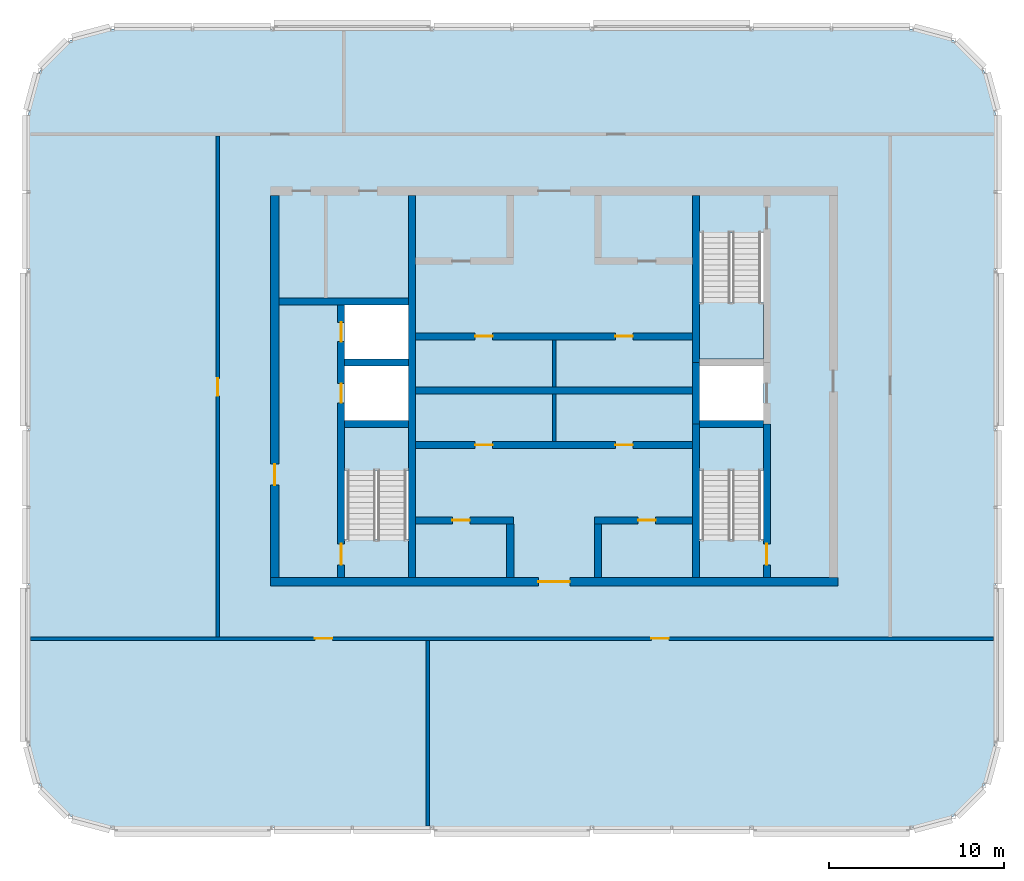
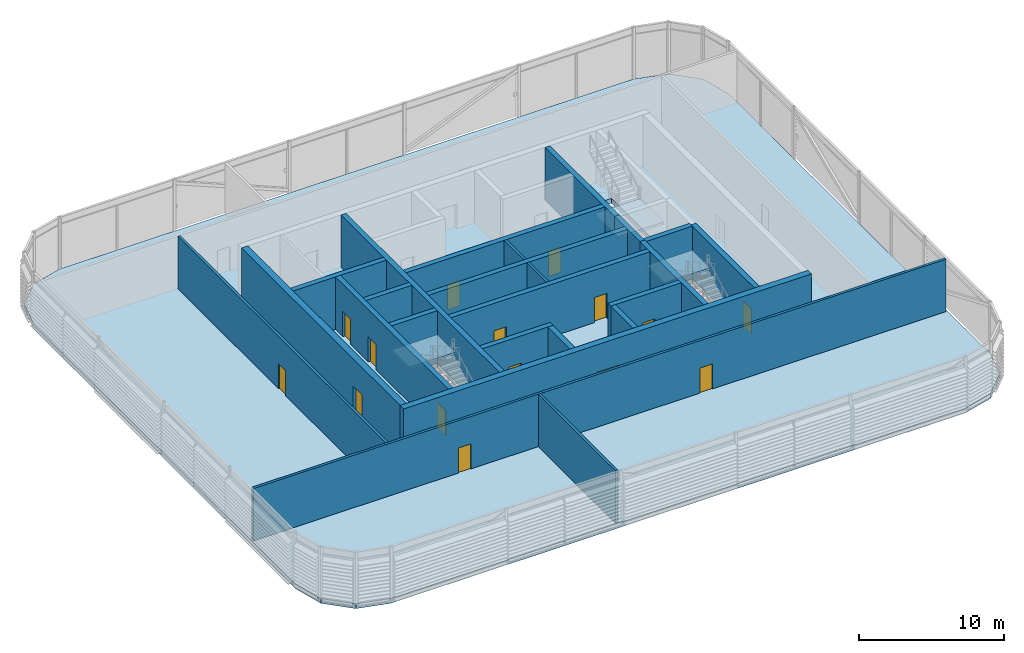
# One storey, part 15 of 27: 24 walls, 15 doors, 4 slabs, 15 openings, 3 elements without a shape of their own.
"""IFC4 building model written with IfcOpenShell, lengths in metres."""

from ifc_helpers import new_model, si_unit, direction, frame, frame_2d, origin, place, context, subcontext, project, spatial, polyline, rectangle, outline, extrude, material, layer, layer_set, type_object, element, fill, aggregate, save


model = new_model("IFC4")

# Units and contexts
model_context = context("Model", 3, precision=1e-05, world=origin(), true_north=direction((0.0, 1.0)))
body_context = subcontext(model_context, "Body", "Model", "MODEL_VIEW")
ifc_project = project(units=[si_unit("LENGTHUNIT", "METRE"), si_unit("AREAUNIT", "SQUARE_METRE"), si_unit("VOLUMEUNIT", "CUBIC_METRE"), si_unit("PLANEANGLEUNIT", "RADIAN"), si_unit("MASSUNIT", "GRAM", prefix="KILO")], contexts=[model_context])

# Site, building, storey
site_placement = place(None, origin())
site = spatial("IfcSite", under=ifc_project, at=site_placement, CompositionType="ELEMENT")
building_placement = place(site_placement, origin())
building = spatial("IfcBuilding", under=site, at=building_placement, Name="Madar Terraces", CompositionType="ELEMENT")
storey_placement = place(building_placement, frame((0.0, 0.0, 301.10009765625)))
storey = spatial("IfcBuildingStorey", under=building, at=storey_placement, Name="L78", CompositionType="ELEMENT", Elevation=301.10009765625)

# Slab
ifc_material_1 = material(Name="Concrete C50/60", Category="concrete")
ifc_layer_1 = layer(ifc_material_1, 0.39990234375)
ifc_layer_set_1 = layer_set([ifc_layer_1], Name="FS6 PT flat slab 400")
slab_type_1 = type_object("IfcSlabType", Name="FS6 PT flat slab 400", PredefinedType="FLOOR", material=ifc_layer_set_1)
slab_1_placement = place(storey_placement, frame((0.0, 0.0, -0.400146484375)))
element("IfcSlab", 1, at=slab_1_placement, inside=storey, type_object=slab_type_1, Name="Floor slab L78 (1)", PredefinedType="FLOOR", context=body_context, shape_type="SweptSolid", body=[
    extrude(outline(polyline([(51.60009765625, 1.199951171875), (54.0, 1.843017578125), (55.7568359375, 3.60009765625), (56.39990234375, 6.0), (56.39990234375, 42.0), (55.7568359375, 44.39990234375), (54.0, 46.156982421875), (51.60009765625, 46.800048828125), (6.0, 46.800048828125), (3.60009765625, 46.156982421875), (1.843017578125, 44.39990234375), (1.199951171875, 42.0), (1.199951171875, 6.0), (1.843017578125, 3.60009765625), (3.60009765625, 1.843017578125), (6.0, 1.199951171875), (51.60009765625, 1.199951171875)]), holes=[polyline([(22.89990234375, 24.050048828125), (22.89990234375, 17.64990234375), (19.25, 17.64990234375), (19.25, 24.050048828125), (22.89990234375, 24.050048828125)]), polyline([(43.14990234375, 17.64990234375), (39.5, 17.64990234375), (39.5, 24.050048828125), (43.14990234375, 24.050048828125), (43.14990234375, 17.64990234375)]), polyline([(22.89990234375, 24.449951171875), (19.25, 24.449951171875), (19.25, 27.550048828125), (22.89990234375, 27.550048828125), (22.89990234375, 24.449951171875)]), polyline([(43.14990234375, 27.550048828125), (43.14990234375, 24.449951171875), (39.5, 24.449951171875), (39.5, 27.550048828125), (43.14990234375, 27.550048828125)]), polyline([(22.89990234375, 27.949951171875), (19.25, 27.949951171875), (19.25, 31.050048828125), (22.89990234375, 31.050048828125), (22.89990234375, 27.949951171875)]), polyline([(43.14990234375, 27.949951171875), (39.5, 27.949951171875), (39.5, 35.14990234375), (43.14990234375, 35.14990234375), (43.14990234375, 27.949951171875)])]), origin(), (0.0, 0.0, 1.0), 0.400146484375),
])

# Stair, slab
ifc_material_2 = material(Name="Concrete C50/60", Category="concrete")
stair_type_1 = type_object("IfcStairType", Name="Stair ST1 protected exit", PredefinedType="HALF_TURN_STAIR", material=ifc_material_2)
stair_1_placement = place(storey_placement, origin())
stair_1 = element("IfcStair", 2, at=stair_1_placement, inside=storey, type_object=stair_type_1, Name="L78 Protected Exit Stair ST1", PredefinedType="HALF_TURN_STAIR")
ifc_material_3 = material(Name="Concrete C50/60", Category="concrete")
ifc_layer_2 = layer(ifc_material_3, 0.199951171875)
ifc_layer_set_2 = layer_set([ifc_layer_2], Name="Stair landing 200, top +2.40")
slab_type_2 = type_object("IfcSlabType", Name="Stair landing 200, top +2.40", PredefinedType="LANDING", material=ifc_layer_set_2)
slab_2_placement = place(storey_placement, frame((0.0, 0.0, 2.199951171875)))
slab_2 = element("IfcSlab", 3, at=slab_2_placement, type_object=slab_type_2, Name="ST1 landing 1", PredefinedType="LANDING", context=body_context, shape_type="SweptSolid", body=[
    extrude(outline(polyline([(19.25, 21.60009765625), (22.89990234375, 21.60009765625), (22.89990234375, 24.050048828125), (19.25, 24.050048828125), (19.25, 21.60009765625)])), origin(), (0.0, 0.0, 1.0), 0.199951171875),
])
aggregate(stair_1, [slab_2])

ifc_material_4 = material(Name="Concrete C50/60", Category="concrete")
stair_type_2 = type_object("IfcStairType", Name="Stair ST2 protected exit", PredefinedType="HALF_TURN_STAIR", material=ifc_material_4)
stair_2_placement = place(storey_placement, origin())
stair_2 = element("IfcStair", 4, at=stair_2_placement, inside=storey, type_object=stair_type_2, Name="L78 Protected Exit Stair ST2", PredefinedType="HALF_TURN_STAIR")
slab_3_placement = place(storey_placement, frame((0.0, 0.0, 2.199951171875)))
slab_3 = element("IfcSlab", 5, at=slab_3_placement, type_object=slab_type_2, Name="ST2 landing 1", PredefinedType="LANDING", context=body_context, shape_type="SweptSolid", body=[
    extrude(outline(polyline([(39.5, 27.949951171875), (43.14990234375, 27.949951171875), (43.14990234375, 31.199951171875), (39.5, 31.199951171875), (39.5, 27.949951171875)])), origin(), (0.0, 0.0, 1.0), 0.199951171875),
])
aggregate(stair_2, [slab_3])

ifc_material_5 = material(Name="Concrete C50/60", Category="concrete")
stair_type_3 = type_object("IfcStairType", Name="Stair ST3 protected exit", PredefinedType="HALF_TURN_STAIR", material=ifc_material_5)
stair_3_placement = place(storey_placement, origin())
stair_3 = element("IfcStair", 6, at=stair_3_placement, inside=storey, type_object=stair_type_3, Name="L78 Protected Exit Stair ST3", PredefinedType="HALF_TURN_STAIR")
slab_4_placement = place(storey_placement, frame((0.0, 0.0, 2.199951171875)))
slab_4 = element("IfcSlab", 7, at=slab_4_placement, type_object=slab_type_2, Name="ST3 landing 1", PredefinedType="LANDING", context=body_context, shape_type="SweptSolid", body=[
    extrude(outline(polyline([(39.5, 21.60009765625), (43.14990234375, 21.60009765625), (43.14990234375, 24.050048828125), (39.5, 24.050048828125), (39.5, 21.60009765625)])), origin(), (0.0, 0.0, 1.0), 0.199951171875),
])
aggregate(stair_3, [slab_4])

# Wall, openings, doors
ifc_material_6 = material(Name="Concrete C50/60", Category="concrete")
ifc_layer_3 = layer(ifc_material_6, 0.39990234375)
ifc_layer_set_3 = layer_set([ifc_layer_3], Name="Concrete C50/60 (CIW6 RC wall 400)")
wall_type_1 = type_object("IfcWallType", Name="CIW6 RC wall 400", PredefinedType="SHEAR", material=ifc_layer_set_3)
wall_1_placement = place(storey_placement, frame((19.050048828125, 15.5, 0.0), z_axis=(0.0, 0.0, 1.0), x_axis=(0.0, 1.0, 0.0)))
wall_1 = element("IfcWall", 8, at=wall_1_placement, inside=storey, type_object=wall_type_1, Name="CORE SHAFT WALL", PredefinedType="SHEAR", context=body_context, shape_type="SweptSolid", body=[
    extrude(rectangle(XDim=15.550048828125, YDim=0.39990234375, at=frame_2d((7.77490234375, 0.0))), origin(), (0.0, 0.0, 1.0), 4.39990234375),
])
opening_1_placement = place(wall_1_placement, frame((9.949951171875, 0.0, 0.0)))
opening_1 = element("IfcOpeningElement", 9, at=opening_1_placement, cuts=wall_1, Name="Opening LD", PredefinedType="OPENING", context=body_context, shape_type="SweptSolid", body=[
    extrude(rectangle(XDim=1.10009765625, YDim=2.10009765625, at=frame_2d((0.550048828125, 1.050048828125))), frame((0.0, 0.2099609375, 0.0), z_axis=(0.0, -1.0, 0.0), x_axis=(1.0, 0.0, 0.0)), (0.0, 0.0, 1.0), 0.419921875),
])
opening_2_placement = place(wall_1_placement, frame((13.449951171875, 0.0, 0.0)))
opening_2 = element("IfcOpeningElement", 10, at=opening_2_placement, cuts=wall_1, Name="Opening LD", PredefinedType="OPENING", context=body_context, shape_type="SweptSolid", body=[
    extrude(rectangle(XDim=1.10009765625, YDim=2.10009765625, at=frame_2d((0.550048828125, 1.050048828125))), frame((0.0, 0.2099609375, 0.0), z_axis=(0.0, -1.0, 0.0), x_axis=(1.0, 0.0, 0.0)), (0.0, 0.0, 1.0), 0.419921875),
])
opening_3_placement = place(wall_1_placement, frame((0.699951171875, 0.0, 0.0)))
opening_3 = element("IfcOpeningElement", 11, at=opening_3_placement, cuts=wall_1, Name="Opening SD1", PredefinedType="OPENING", context=body_context, shape_type="SweptSolid", body=[
    extrude(rectangle(XDim=1.199951171875, YDim=2.10009765625, at=frame_2d((0.60009765625, 1.050048828125))), frame((0.0, 0.2099609375, 0.0), z_axis=(0.0, -1.0, 0.0), x_axis=(1.0, 0.0, 0.0)), (0.0, 0.0, 1.0), 0.419921875),
])
ifc_material_7 = material(Name="Stainless steel panel", Category="steel")
door_type_1 = type_object("IfcDoorType", Name="Lift landing door 1100 x 2100", OperationType="DOUBLE_DOOR_SLIDING", PredefinedType="DOOR", material=ifc_material_7)
door_1_placement = place(opening_1_placement, origin())
door_1 = element("IfcDoor", 12, at=door_1_placement, inside=storey, type_object=door_type_1, Name="LIFT LANDING DOOR", OperationType="DOUBLE_DOOR_SLIDING", OverallHeight=2.10009765625, OverallWidth=1.10009765625, PredefinedType="DOOR", context=body_context, shape_type="SweptSolid", body=[
    extrude(rectangle(XDim=1.10009765625, YDim=2.10009765625, at=frame_2d((0.550048828125, 1.050048828125))), frame((0.0, 0.02490234375, 0.0), z_axis=(0.0, -1.0, 0.0), x_axis=(1.0, 0.0, 0.0)), (0.0, 0.0, 1.0), 0.050048828125),
])
fill(opening_1, door_1)
door_2_placement = place(opening_2_placement, origin())
door_2 = element("IfcDoor", 13, at=door_2_placement, inside=storey, type_object=door_type_1, Name="LIFT LANDING DOOR", OperationType="DOUBLE_DOOR_SLIDING", OverallHeight=2.10009765625, OverallWidth=1.10009765625, PredefinedType="DOOR", context=body_context, shape_type="SweptSolid", body=[
    extrude(rectangle(XDim=1.10009765625, YDim=2.10009765625, at=frame_2d((0.550048828125, 1.050048828125))), frame((0.0, 0.02490234375, 0.0), z_axis=(0.0, -1.0, 0.0), x_axis=(1.0, 0.0, 0.0)), (0.0, 0.0, 1.0), 0.050048828125),
])
fill(opening_2, door_2)
ifc_material_8 = material(Name="Steel door leaf", Category="steel")
door_type_2 = type_object("IfcDoorType", Name="Stair door 1200 x 2100", OperationType="NOTDEFINED", PredefinedType="DOOR", material=ifc_material_8)
door_3_placement = place(opening_3_placement, frame((1.199951171875, 0.0, 0.0), z_axis=(0.0, 0.0, 1.0), x_axis=(-1.0, 0.0, 0.0)))
door_3 = element("IfcDoor", 14, at=door_3_placement, inside=storey, type_object=door_type_2, Name="STAIR DOOR", OperationType="SINGLE_SWING_RIGHT", OverallHeight=2.10009765625, OverallWidth=1.199951171875, PredefinedType="DOOR", context=body_context, shape_type="SweptSolid", body=[
    extrude(rectangle(XDim=1.199951171875, YDim=2.10009765625, at=frame_2d((0.60009765625, 1.050048828125))), frame((0.0, 0.02490234375, 0.0), z_axis=(0.0, -1.0, 0.0), x_axis=(1.0, 0.0, 0.0)), (0.0, 0.0, 1.0), 0.050048828125),
])
fill(opening_3, door_3)

# Walls
wall_2_placement = place(storey_placement, frame((23.10009765625, 15.5, 0.0), z_axis=(0.0, 0.0, 1.0), x_axis=(0.0, 1.0, 0.0)))
element("IfcWall", 15, at=wall_2_placement, inside=storey, type_object=wall_type_1, Name="CORE SHAFT WALL", PredefinedType="SHEAR", context=body_context, shape_type="SweptSolid", body=[
    extrude(rectangle(XDim=21.800048828125, YDim=0.39990234375, at=frame_2d((10.89990234375, 0.0))), origin(), (0.0, 0.0, 1.0), 4.39990234375),
])
wall_3_placement = place(storey_placement, frame((39.300048828125, 15.5, 0.0), z_axis=(0.0, 0.0, 1.0), x_axis=(0.0, 1.0, 0.0)))
element("IfcWall", 16, at=wall_3_placement, inside=storey, type_object=wall_type_1, Name="CORE SHAFT WALL", PredefinedType="SHEAR", context=body_context, shape_type="SweptSolid", body=[
    extrude(rectangle(XDim=8.75, YDim=0.39990234375, at=frame_2d((4.375, 0.0))), origin(), (0.0, 0.0, 1.0), 4.39990234375),
])
wall_4_placement = place(storey_placement, frame((39.300048828125, 24.25, 0.0), z_axis=(0.0, 0.0, 1.0), x_axis=(0.0, 1.0, 0.0)))
element("IfcWall", 17, at=wall_4_placement, inside=storey, type_object=wall_type_1, Name="CORE SHAFT WALL", PredefinedType="SHEAR", context=body_context, shape_type="SweptSolid", body=[
    extrude(rectangle(XDim=3.5, YDim=0.39990234375, at=frame_2d((1.75, 0.0))), origin(), (0.0, 0.0, 1.0), 4.39990234375),
])
wall_5_placement = place(storey_placement, frame((39.300048828125, 27.75, 0.0), z_axis=(0.0, 0.0, 1.0), x_axis=(0.0, 1.0, 0.0)))
element("IfcWall", 18, at=wall_5_placement, inside=storey, type_object=wall_type_1, Name="CORE SHAFT WALL", PredefinedType="SHEAR", context=body_context, shape_type="SweptSolid", body=[
    extrude(rectangle(XDim=9.550048828125, YDim=0.39990234375, at=frame_2d((4.77490234375, 0.0))), origin(), (0.0, 0.0, 1.0), 4.39990234375),
])

# Wall, opening, door
wall_6_placement = place(storey_placement, frame((43.35009765625, 15.5, 0.0), z_axis=(0.0, 0.0, 1.0), x_axis=(0.0, 1.0, 0.0)))
wall_6 = element("IfcWall", 19, at=wall_6_placement, inside=storey, type_object=wall_type_1, Name="CORE SHAFT WALL", PredefinedType="SHEAR", context=body_context, shape_type="SweptSolid", body=[
    extrude(rectangle(XDim=8.75, YDim=0.39990234375, at=frame_2d((4.375, 0.0))), origin(), (0.0, 0.0, 1.0), 4.39990234375),
])
opening_4_placement = place(wall_6_placement, frame((0.699951171875, 0.0, 0.0)))
opening_4 = element("IfcOpeningElement", 20, at=opening_4_placement, cuts=wall_6, Name="Opening SD1", PredefinedType="OPENING", context=body_context, shape_type="SweptSolid", body=[
    extrude(rectangle(XDim=1.199951171875, YDim=2.10009765625, at=frame_2d((0.60009765625, 1.050048828125))), frame((0.0, 0.2099609375, 0.0), z_axis=(0.0, -1.0, 0.0), x_axis=(1.0, 0.0, 0.0)), (0.0, 0.0, 1.0), 0.419921875),
])
door_4_placement = place(opening_4_placement, origin())
door_4 = element("IfcDoor", 21, at=door_4_placement, inside=storey, type_object=door_type_2, Name="STAIR DOOR", OperationType="SINGLE_SWING_LEFT", OverallHeight=2.10009765625, OverallWidth=1.199951171875, PredefinedType="DOOR", context=body_context, shape_type="SweptSolid", body=[
    extrude(rectangle(XDim=1.199951171875, YDim=2.10009765625, at=frame_2d((0.60009765625, 1.050048828125))), frame((0.0, 0.02490234375, 0.0), z_axis=(0.0, -1.0, 0.0), x_axis=(1.0, 0.0, 0.0)), (0.0, 0.0, 1.0), 0.050048828125),
])
fill(opening_4, door_4)

# Walls
for number, where, z_axis, x_axis, name in (
    (22, (19.25, 24.25, 0.0), (0.0, 0.0, 1.0), (1.0, 0.0, 0.0), "CORE SHAFT WALL"),
    (23, (19.25, 27.75, 0.0), (0.0, 0.0, 1.0), (1.0, 0.0, 0.0), "CORE SHAFT WALL"),
):
    element("IfcWall", number, at=place(storey_placement, frame(where, z_axis=z_axis, x_axis=x_axis)), inside=storey, type_object=wall_type_1, Name=name, PredefinedType="SHEAR", context=body_context, shape_type="SweptSolid", body=[
        extrude(rectangle(XDim=3.64990234375, YDim=0.39990234375, at=frame_2d((1.824951171875, 0.0))), origin(), (0.0, 0.0, 1.0), 4.39990234375),
    ])
wall_7_placement = place(storey_placement, frame((15.5, 31.25, 0.0), z_axis=(0.0, 0.0, 1.0), x_axis=(1.0, 0.0, 0.0)))
element("IfcWall", 24, at=wall_7_placement, inside=storey, type_object=wall_type_1, Name="CORE SHAFT WALL", PredefinedType="SHEAR", context=body_context, shape_type="SweptSolid", body=[
    extrude(rectangle(XDim=7.39990234375, YDim=0.39990234375, at=frame_2d((3.699951171875, 0.0))), origin(), (0.0, 0.0, 1.0), 4.39990234375),
])
wall_8_placement = place(storey_placement, frame((39.5, 24.25, 0.0), z_axis=(0.0, 0.0, 1.0), x_axis=(1.0, 0.0, 0.0)))
element("IfcWall", 25, at=wall_8_placement, inside=storey, type_object=wall_type_1, Name="CORE SHAFT WALL", PredefinedType="SHEAR", context=body_context, shape_type="SweptSolid", body=[
    extrude(rectangle(XDim=3.64990234375, YDim=0.39990234375, at=frame_2d((1.824951171875, 0.0))), origin(), (0.0, 0.0, 1.0), 4.39990234375),
])

# Wall, opening, door
wall_9_placement = place(storey_placement, frame((23.300048828125, 18.75, 0.0), z_axis=(0.0, 0.0, 1.0), x_axis=(1.0, 0.0, 0.0)))
wall_9 = element("IfcWall", 26, at=wall_9_placement, inside=storey, type_object=wall_type_1, Name="CORE SHAFT WALL", PredefinedType="SHEAR", context=body_context, shape_type="SweptSolid", body=[
    extrude(rectangle(XDim=5.599853515625, YDim=0.39990234375, at=frame_2d((2.7998046875, 0.0))), origin(), (0.0, 0.0, 1.0), 4.39990234375),
])
opening_5_placement = place(wall_9_placement, frame((2.10009765625, 0.0, 0.0)))
opening_5 = element("IfcOpeningElement", 27, at=opening_5_placement, cuts=wall_9, Name="Opening KD2", PredefinedType="OPENING", context=body_context, shape_type="SweptSolid", body=[
    extrude(rectangle(XDim=1.0, YDim=2.10009765625, at=frame_2d((0.5, 1.050048828125))), frame((0.0, 0.2099609375, 0.0), z_axis=(0.0, -1.0, 0.0), x_axis=(1.0, 0.0, 0.0)), (0.0, 0.0, 1.0), 0.419921875),
])
ifc_material_9 = material(Name="Steel door leaf", Category="steel")
door_type_3 = type_object("IfcDoorType", Name="Service room door 1000 x 2100", OperationType="NOTDEFINED", PredefinedType="DOOR", material=ifc_material_9)
door_5_placement = place(opening_5_placement, origin())
door_5 = element("IfcDoor", 28, at=door_5_placement, inside=storey, type_object=door_type_3, Name="SERVICE ROOM DOOR", OperationType="SINGLE_SWING_LEFT", OverallHeight=2.10009765625, OverallWidth=1.0, PredefinedType="DOOR", context=body_context, shape_type="SweptSolid", body=[
    extrude(rectangle(XDim=1.0, YDim=2.10009765625, at=frame_2d((0.5, 1.050048828125))), frame((0.0, 0.02490234375, 0.0), z_axis=(0.0, -1.0, 0.0), x_axis=(1.0, 0.0, 0.0)), (0.0, 0.0, 1.0), 0.050048828125),
])
fill(opening_5, door_5)

wall_10_placement = place(storey_placement, frame((33.5, 18.75, 0.0), z_axis=(0.0, 0.0, 1.0), x_axis=(1.0, 0.0, 0.0)))
wall_10 = element("IfcWall", 29, at=wall_10_placement, inside=storey, type_object=wall_type_1, Name="CORE SHAFT WALL", PredefinedType="SHEAR", context=body_context, shape_type="SweptSolid", body=[
    extrude(rectangle(XDim=5.60009765625, YDim=0.39990234375, at=frame_2d((2.800048828125, 0.0))), origin(), (0.0, 0.0, 1.0), 4.39990234375),
])
opening_6_placement = place(wall_10_placement, frame((2.5, 0.0, 0.0)))
opening_6 = element("IfcOpeningElement", 30, at=opening_6_placement, cuts=wall_10, Name="Opening KD2", PredefinedType="OPENING", context=body_context, shape_type="SweptSolid", body=[
    extrude(rectangle(XDim=1.0, YDim=2.10009765625, at=frame_2d((0.5, 1.050048828125))), frame((0.0, 0.2099609375, 0.0), z_axis=(0.0, -1.0, 0.0), x_axis=(1.0, 0.0, 0.0)), (0.0, 0.0, 1.0), 0.419921875),
])
door_6_placement = place(opening_6_placement, origin())
door_6 = element("IfcDoor", 31, at=door_6_placement, inside=storey, type_object=door_type_3, Name="SERVICE ROOM DOOR", OperationType="SINGLE_SWING_RIGHT", OverallHeight=2.10009765625, OverallWidth=1.0, PredefinedType="DOOR", context=body_context, shape_type="SweptSolid", body=[
    extrude(rectangle(XDim=1.0, YDim=2.10009765625, at=frame_2d((0.5, 1.050048828125))), frame((0.0, 0.02490234375, 0.0), z_axis=(0.0, -1.0, 0.0), x_axis=(1.0, 0.0, 0.0)), (0.0, 0.0, 1.0), 0.050048828125),
])
fill(opening_6, door_6)

# Wall, openings, doors
wall_11_placement = place(storey_placement, frame((23.300048828125, 23.050048828125, 0.0), z_axis=(0.0, 0.0, 1.0), x_axis=(1.0, 0.0, 0.0)))
wall_11 = element("IfcWall", 32, at=wall_11_placement, inside=storey, type_object=wall_type_1, Name="CORE SHAFT WALL", PredefinedType="SHEAR", context=body_context, shape_type="SweptSolid", body=[
    extrude(rectangle(XDim=15.800048828125, YDim=0.39990234375, at=frame_2d((7.89990234375, 0.0))), origin(), (0.0, 0.0, 1.0), 4.39990234375),
])
opening_7_placement = place(wall_11_placement, frame((3.39990234375, 0.0, 0.0)))
opening_7 = element("IfcOpeningElement", 33, at=opening_7_placement, cuts=wall_11, Name="Opening KD2", PredefinedType="OPENING", context=body_context, shape_type="SweptSolid", body=[
    extrude(rectangle(XDim=1.0, YDim=2.10009765625, at=frame_2d((0.5, 1.050048828125))), frame((0.0, 0.2099609375, 0.0), z_axis=(0.0, -1.0, 0.0), x_axis=(1.0, 0.0, 0.0)), (0.0, 0.0, 1.0), 0.419921875),
])
opening_8_placement = place(wall_11_placement, frame((11.39990234375, 0.0, 0.0)))
opening_8 = element("IfcOpeningElement", 34, at=opening_8_placement, cuts=wall_11, Name="Opening KD2", PredefinedType="OPENING", context=body_context, shape_type="SweptSolid", body=[
    extrude(rectangle(XDim=1.0, YDim=2.10009765625, at=frame_2d((0.5, 1.050048828125))), frame((0.0, 0.2099609375, 0.0), z_axis=(0.0, -1.0, 0.0), x_axis=(1.0, 0.0, 0.0)), (0.0, 0.0, 1.0), 0.419921875),
])
door_7_placement = place(opening_7_placement, frame((1.0, 0.0, 0.0), z_axis=(0.0, 0.0, 1.0), x_axis=(-1.0, 0.0, 0.0)))
door_7 = element("IfcDoor", 35, at=door_7_placement, inside=storey, type_object=door_type_3, Name="SERVICE ROOM DOOR", OperationType="SINGLE_SWING_LEFT", OverallHeight=2.10009765625, OverallWidth=1.0, PredefinedType="DOOR", context=body_context, shape_type="SweptSolid", body=[
    extrude(rectangle(XDim=1.0, YDim=2.10009765625, at=frame_2d((0.5, 1.050048828125))), frame((0.0, 0.02490234375, 0.0), z_axis=(0.0, -1.0, 0.0), x_axis=(1.0, 0.0, 0.0)), (0.0, 0.0, 1.0), 0.050048828125),
])
fill(opening_7, door_7)
door_8_placement = place(opening_8_placement, frame((1.0, 0.0, 0.0), z_axis=(0.0, 0.0, 1.0), x_axis=(-1.0, 0.0, 0.0)))
door_8 = element("IfcDoor", 36, at=door_8_placement, inside=storey, type_object=door_type_3, Name="SERVICE ROOM DOOR", OperationType="SINGLE_SWING_RIGHT", OverallHeight=2.10009765625, OverallWidth=1.0, PredefinedType="DOOR", context=body_context, shape_type="SweptSolid", body=[
    extrude(rectangle(XDim=1.0, YDim=2.10009765625, at=frame_2d((0.5, 1.050048828125))), frame((0.0, 0.02490234375, 0.0), z_axis=(0.0, -1.0, 0.0), x_axis=(1.0, 0.0, 0.0)), (0.0, 0.0, 1.0), 0.050048828125),
])
fill(opening_8, door_8)

# Wall
wall_12_placement = place(storey_placement, frame((23.300048828125, 26.14990234375, 0.0), z_axis=(0.0, 0.0, 1.0), x_axis=(1.0, 0.0, 0.0)))
element("IfcWall", 37, at=wall_12_placement, inside=storey, type_object=wall_type_1, Name="CORE SHAFT WALL", PredefinedType="SHEAR", context=body_context, shape_type="SweptSolid", body=[
    extrude(rectangle(XDim=15.800048828125, YDim=0.39990234375, at=frame_2d((7.89990234375, 0.0))), origin(), (0.0, 0.0, 1.0), 4.39990234375),
])

# Wall, openings, doors
wall_13_placement = place(storey_placement, frame((23.300048828125, 29.25, 0.0), z_axis=(0.0, 0.0, 1.0), x_axis=(1.0, 0.0, 0.0)))
wall_13 = element("IfcWall", 38, at=wall_13_placement, inside=storey, type_object=wall_type_1, Name="CORE SHAFT WALL", PredefinedType="SHEAR", context=body_context, shape_type="SweptSolid", body=[
    extrude(rectangle(XDim=15.800048828125, YDim=0.39990234375, at=frame_2d((7.89990234375, 0.0))), origin(), (0.0, 0.0, 1.0), 4.39990234375),
])
opening_9_placement = place(wall_13_placement, frame((3.39990234375, 0.0, 0.0)))
opening_9 = element("IfcOpeningElement", 39, at=opening_9_placement, cuts=wall_13, Name="Opening KD2", PredefinedType="OPENING", context=body_context, shape_type="SweptSolid", body=[
    extrude(rectangle(XDim=1.0, YDim=2.10009765625, at=frame_2d((0.5, 1.050048828125))), frame((0.0, 0.2099609375, 0.0), z_axis=(0.0, -1.0, 0.0), x_axis=(1.0, 0.0, 0.0)), (0.0, 0.0, 1.0), 0.419921875),
])
opening_10_placement = place(wall_13_placement, frame((11.39990234375, 0.0, 0.0)))
opening_10 = element("IfcOpeningElement", 40, at=opening_10_placement, cuts=wall_13, Name="Opening KD2", PredefinedType="OPENING", context=body_context, shape_type="SweptSolid", body=[
    extrude(rectangle(XDim=1.0, YDim=2.10009765625, at=frame_2d((0.5, 1.050048828125))), frame((0.0, 0.2099609375, 0.0), z_axis=(0.0, -1.0, 0.0), x_axis=(1.0, 0.0, 0.0)), (0.0, 0.0, 1.0), 0.419921875),
])
door_9_placement = place(opening_9_placement, origin())
door_9 = element("IfcDoor", 41, at=door_9_placement, inside=storey, type_object=door_type_3, Name="SERVICE ROOM DOOR", OperationType="SINGLE_SWING_LEFT", OverallHeight=2.10009765625, OverallWidth=1.0, PredefinedType="DOOR", context=body_context, shape_type="SweptSolid", body=[
    extrude(rectangle(XDim=1.0, YDim=2.10009765625, at=frame_2d((0.5, 1.050048828125))), frame((0.0, 0.02490234375, 0.0), z_axis=(0.0, -1.0, 0.0), x_axis=(1.0, 0.0, 0.0)), (0.0, 0.0, 1.0), 0.050048828125),
])
fill(opening_9, door_9)
door_10_placement = place(opening_10_placement, origin())
door_10 = element("IfcDoor", 42, at=door_10_placement, inside=storey, type_object=door_type_3, Name="SERVICE ROOM DOOR", OperationType="SINGLE_SWING_RIGHT", OverallHeight=2.10009765625, OverallWidth=1.0, PredefinedType="DOOR", context=body_context, shape_type="SweptSolid", body=[
    extrude(rectangle(XDim=1.0, YDim=2.10009765625, at=frame_2d((0.5, 1.050048828125))), frame((0.0, 0.02490234375, 0.0), z_axis=(0.0, -1.0, 0.0), x_axis=(1.0, 0.0, 0.0)), (0.0, 0.0, 1.0), 0.050048828125),
])
fill(opening_10, door_10)

# Walls
for number, where, z_axis, x_axis, name in (
    (43, (28.699951171875, 15.5, 0.0), (0.0, 0.0, 1.0), (0.0, 1.0, 0.0), "CORE SHAFT WALL"),
    (44, (33.699951171875, 15.5, 0.0), (0.0, 0.0, 1.0), (0.0, 1.0, 0.0), "CORE SHAFT WALL"),
):
    element("IfcWall", number, at=place(storey_placement, frame(where, z_axis=z_axis, x_axis=x_axis)), inside=storey, type_object=wall_type_1, Name=name, PredefinedType="SHEAR", context=body_context, shape_type="SweptSolid", body=[
        extrude(rectangle(XDim=3.050048828125, YDim=0.39990234375, at=frame_2d((1.52490234375, 0.0))), origin(), (0.0, 0.0, 1.0), 4.39990234375),
    ])

# Wall, opening, door
ifc_material_10 = material(Name="Concrete C50/60", Category="concrete")
ifc_layer_4 = layer(ifc_material_10, 0.5)
ifc_layer_set_4 = layer_set([ifc_layer_4], Name="Concrete C50/60 (CRW6 RC wall 500)")
wall_type_2 = type_object("IfcWallType", Name="CRW6 RC wall 500", PredefinedType="SHEAR", material=ifc_layer_set_4)
wall_14_placement = place(storey_placement, frame((15.0, 15.25, 0.0), z_axis=(0.0, 0.0, 1.0), x_axis=(1.0, 0.0, 0.0)))
wall_14 = element("IfcWall", 45, at=wall_14_placement, inside=storey, type_object=wall_type_2, Name="CORE OUTER WALL", PredefinedType="SHEAR", context=body_context, shape_type="SweptSolid", body=[
    extrude(rectangle(XDim=32.39990234375, YDim=0.5, at=frame_2d((16.199951171875, 0.0))), origin(), (0.0, 0.0, 1.0), 4.39990234375),
])
opening_11_placement = place(wall_14_placement, frame((15.300048828125, 0.0, 0.0)))
opening_11 = element("IfcOpeningElement", 46, at=opening_11_placement, cuts=wall_14, Name="Opening KD1", PredefinedType="OPENING", context=body_context, shape_type="SweptSolid", body=[
    extrude(rectangle(XDim=1.800048828125, YDim=2.10009765625, at=frame_2d((0.89990234375, 1.050048828125))), frame((0.0, 0.260009765625, 0.0), z_axis=(0.0, -1.0, 0.0), x_axis=(1.0, 0.0, 0.0)), (0.0, 0.0, 1.0), 0.52001953125),
])
ifc_material_11 = material(Name="Steel door leaf", Category="steel")
door_type_4 = type_object("IfcDoorType", Name="Lobby door pair 1800 x 2100", OperationType="DOUBLE_DOOR_SINGLE_SWING", PredefinedType="DOOR", material=ifc_material_11)
door_11_placement = place(opening_11_placement, frame((1.800048828125, 0.0, 0.0), z_axis=(0.0, 0.0, 1.0), x_axis=(-1.0, 0.0, 0.0)))
door_11 = element("IfcDoor", 47, at=door_11_placement, inside=storey, type_object=door_type_4, Name="LIFT LOBBY DOOR", OperationType="DOUBLE_DOOR_SINGLE_SWING", OverallHeight=2.10009765625, OverallWidth=1.800048828125, PredefinedType="DOOR", context=body_context, shape_type="SweptSolid", body=[
    extrude(rectangle(XDim=1.800048828125, YDim=2.10009765625, at=frame_2d((0.89990234375, 1.050048828125))), frame((0.0, 0.02490234375, 0.0), z_axis=(0.0, -1.0, 0.0), x_axis=(1.0, 0.0, 0.0)), (0.0, 0.0, 1.0), 0.050048828125),
])
fill(opening_11, door_11)

wall_15_placement = place(storey_placement, frame((15.25, 15.5, 0.0), z_axis=(0.0, 0.0, 1.0), x_axis=(0.0, 1.0, 0.0)))
wall_15 = element("IfcWall", 48, at=wall_15_placement, inside=storey, type_object=wall_type_2, Name="CORE OUTER WALL", PredefinedType="SHEAR", context=body_context, shape_type="SweptSolid", body=[
    extrude(rectangle(XDim=21.800048828125, YDim=0.5, at=frame_2d((10.89990234375, 0.0))), origin(), (0.0, 0.0, 1.0), 4.39990234375),
])
opening_12_placement = place(wall_15_placement, frame((5.260009765625, 0.0, 0.0)))
opening_12 = element("IfcOpeningElement", 49, at=opening_12_placement, cuts=wall_15, Name="Opening SD1", PredefinedType="OPENING", context=body_context, shape_type="SweptSolid", body=[
    extrude(rectangle(XDim=1.199951171875, YDim=2.10009765625, at=frame_2d((0.60009765625, 1.050048828125))), frame((0.0, 0.260009765625, 0.0), z_axis=(0.0, -1.0, 0.0), x_axis=(1.0, 0.0, 0.0)), (0.0, 0.0, 1.0), 0.52001953125),
])
door_12_placement = place(opening_12_placement, frame((1.199951171875, 0.0, 0.0), z_axis=(0.0, 0.0, 1.0), x_axis=(-1.0, 0.0, 0.0)))
door_12 = element("IfcDoor", 50, at=door_12_placement, inside=storey, type_object=door_type_2, Name="STAIR DOOR", OperationType="SINGLE_SWING_LEFT", OverallHeight=2.10009765625, OverallWidth=1.199951171875, PredefinedType="DOOR", context=body_context, shape_type="SweptSolid", body=[
    extrude(rectangle(XDim=1.199951171875, YDim=2.10009765625, at=frame_2d((0.60009765625, 1.050048828125))), frame((0.0, 0.02490234375, 0.0), z_axis=(0.0, -1.0, 0.0), x_axis=(1.0, 0.0, 0.0)), (0.0, 0.0, 1.0), 0.050048828125),
])
fill(opening_12, door_12)

# Walls
ifc_material_12 = material(Name="Masonry blockwork", Category="masonry")
ifc_layer_5 = layer(ifc_material_12, 0.199951171875)
ifc_layer_set_5 = layer_set([ifc_layer_5], Name="Core partition 200 blockwork")
wall_type_3 = type_object("IfcWallType", Name="Core partition 200 blockwork", PredefinedType="PARTITIONING", material=ifc_layer_set_5)
for number, where, z_axis, x_axis, name in (
    (51, (31.199951171875, 23.25, 0.0), (0.0, 0.0, 1.0), (0.0, 1.0, 0.0), "SERVICE ROOM PARTITION"),
    (52, (31.199951171875, 26.35009765625, 0.0), (0.0, 0.0, 1.0), (0.0, 1.0, 0.0), "SERVICE ROOM PARTITION"),
):
    element("IfcWall", number, at=place(storey_placement, frame(where, z_axis=z_axis, x_axis=x_axis)), inside=storey, type_object=wall_type_3, Name=name, PredefinedType="PARTITIONING", context=body_context, shape_type="SweptSolid", body=[
        extrude(rectangle(XDim=2.699951171875, YDim=0.199951171875, at=frame_2d((1.35009765625, 0.0))), origin(), (0.0, 0.0, 1.0), 4.39990234375),
    ])

# Wall, openings, doors
ifc_material_13 = material(Name="Blockwork", Category="masonry")
ifc_layer_6 = layer(ifc_material_13, 0.199951171875)
ifc_layer_set_6 = layer_set([ifc_layer_6], Name="Partition 200 EI 120")
wall_type_4 = type_object("IfcWallType", Name="Partition 200 EI 120", PredefinedType="PARTITIONING", material=ifc_layer_set_6)
wall_16_placement = place(storey_placement, frame((56.300048828125, 12.0, 0.0), z_axis=(0.0, 0.0, 1.0), x_axis=(-1.0, 0.0, 0.0)))
wall_16 = element("IfcWall", 53, at=wall_16_placement, inside=storey, type_object=wall_type_4, Name="Wall COOLING PLANT ROOM + LIFT MACHINE PLANT ROOM", PredefinedType="PARTITIONING", context=body_context, shape_type="SweptSolid", body=[
    extrude(rectangle(XDim=55.0, YDim=0.199951171875, at=frame_2d((27.5, 0.0))), origin(), (0.0, 0.0, 1.0), 4.39990234375),
])
opening_13_placement = place(wall_16_placement, frame((37.75, 0.0, 0.0)))
opening_13 = element("IfcOpeningElement", 54, at=opening_13_placement, cuts=wall_16, Name="Opening D33", PredefinedType="OPENING", context=body_context, shape_type="SweptSolid", body=[
    extrude(rectangle(XDim=1.0, YDim=2.10009765625, at=frame_2d((0.5, 1.050048828125))), frame((0.0, 0.10986328125, 0.0), z_axis=(0.0, -1.0, 0.0), x_axis=(1.0, 0.0, 0.0)), (0.0, 0.0, 1.0), 0.219970703125),
])
opening_14_placement = place(wall_16_placement, frame((18.550048828125, 0.0, 0.0)))
opening_14 = element("IfcOpeningElement", 55, at=opening_14_placement, cuts=wall_16, Name="Opening D33", PredefinedType="OPENING", context=body_context, shape_type="SweptSolid", body=[
    extrude(rectangle(XDim=1.0, YDim=2.10009765625, at=frame_2d((0.5, 1.050048828125))), frame((0.0, 0.10986328125, 0.0), z_axis=(0.0, -1.0, 0.0), x_axis=(1.0, 0.0, 0.0)), (0.0, 0.0, 1.0), 0.219970703125),
])
ifc_material_14 = material(Name="Timber door leaf, fire-rated", Category="wood")
door_type_5 = type_object("IfcDoorType", Name="Podium door 1000 x 2100 FD90S", OperationType="NOTDEFINED", PredefinedType="DOOR", material=ifc_material_14)
door_13_placement = place(opening_13_placement, origin())
door_13 = element("IfcDoor", 56, at=door_13_placement, inside=storey, type_object=door_type_5, Name="Door COOLING PLANT ROOM / RING CORRIDOR", OperationType="SINGLE_SWING_LEFT", OverallHeight=2.10009765625, OverallWidth=1.0, PredefinedType="DOOR", context=body_context, shape_type="SweptSolid", body=[
    extrude(rectangle(XDim=1.0, YDim=2.10009765625, at=frame_2d((0.5, 1.050048828125))), frame((0.0, 0.02490234375, 0.0), z_axis=(0.0, -1.0, 0.0), x_axis=(1.0, 0.0, 0.0)), (0.0, 0.0, 1.0), 0.050048828125),
])
fill(opening_13, door_13)
door_14_placement = place(opening_14_placement, origin())
door_14 = element("IfcDoor", 57, at=door_14_placement, inside=storey, type_object=door_type_5, Name="Door LIFT MACHINE PLANT ROOM / RING CORRIDOR", OperationType="SINGLE_SWING_LEFT", OverallHeight=2.10009765625, OverallWidth=1.0, PredefinedType="DOOR", context=body_context, shape_type="SweptSolid", body=[
    extrude(rectangle(XDim=1.0, YDim=2.10009765625, at=frame_2d((0.5, 1.050048828125))), frame((0.0, 0.02490234375, 0.0), z_axis=(0.0, -1.0, 0.0), x_axis=(1.0, 0.0, 0.0)), (0.0, 0.0, 1.0), 0.050048828125),
])
fill(opening_14, door_14)

# Wall, opening, door
wall_17_placement = place(storey_placement, frame((12.0, 12.10009765625, 0.0), z_axis=(0.0, 0.0, 1.0), x_axis=(0.0, 1.0, 0.0)))
wall_17 = element("IfcWall", 58, at=wall_17_placement, inside=storey, type_object=wall_type_4, Name="Wall AIR HANDLING PLANT ROOM / RING CORRIDOR", PredefinedType="PARTITIONING", context=body_context, shape_type="SweptSolid", body=[
    extrude(rectangle(XDim=28.599853515625, YDim=0.199951171875, at=frame_2d((14.2998046875, 0.0))), origin(), (0.0, 0.0, 1.0), 4.39990234375),
])
opening_15_placement = place(wall_17_placement, frame((13.75, 0.0, 0.0)))
opening_15 = element("IfcOpeningElement", 59, at=opening_15_placement, cuts=wall_17, Name="Opening D33", PredefinedType="OPENING", context=body_context, shape_type="SweptSolid", body=[
    extrude(rectangle(XDim=1.0, YDim=2.10009765625, at=frame_2d((0.5, 1.050048828125))), frame((0.0, 0.10986328125, 0.0), z_axis=(0.0, -1.0, 0.0), x_axis=(1.0, 0.0, 0.0)), (0.0, 0.0, 1.0), 0.219970703125),
])
door_15_placement = place(opening_15_placement, origin())
door_15 = element("IfcDoor", 60, at=door_15_placement, inside=storey, type_object=door_type_5, Name="Door AIR HANDLING PLANT ROOM / RING CORRIDOR", OperationType="SINGLE_SWING_LEFT", OverallHeight=2.10009765625, OverallWidth=1.0, PredefinedType="DOOR", context=body_context, shape_type="SweptSolid", body=[
    extrude(rectangle(XDim=1.0, YDim=2.10009765625, at=frame_2d((0.5, 1.050048828125))), frame((0.0, 0.02490234375, 0.0), z_axis=(0.0, -1.0, 0.0), x_axis=(1.0, 0.0, 0.0)), (0.0, 0.0, 1.0), 0.050048828125),
])
fill(opening_15, door_15)

# Wall
wall_18_placement = place(storey_placement, frame((24.0, 1.300048828125, 0.0), z_axis=(0.0, 0.0, 1.0), x_axis=(0.0, 1.0, 0.0)))
element("IfcWall", 61, at=wall_18_placement, inside=storey, type_object=wall_type_4, Name="Wall COOLING PLANT ROOM / LIFT MACHINE PLANT ROOM", PredefinedType="PARTITIONING", context=body_context, shape_type="SweptSolid", body=[
    extrude(rectangle(XDim=10.599853515625, YDim=0.199951171875, at=frame_2d((5.2998046875, 0.0))), origin(), (0.0, 0.0, 1.0), 4.39990234375),
])

save(model, "model.ifc")
